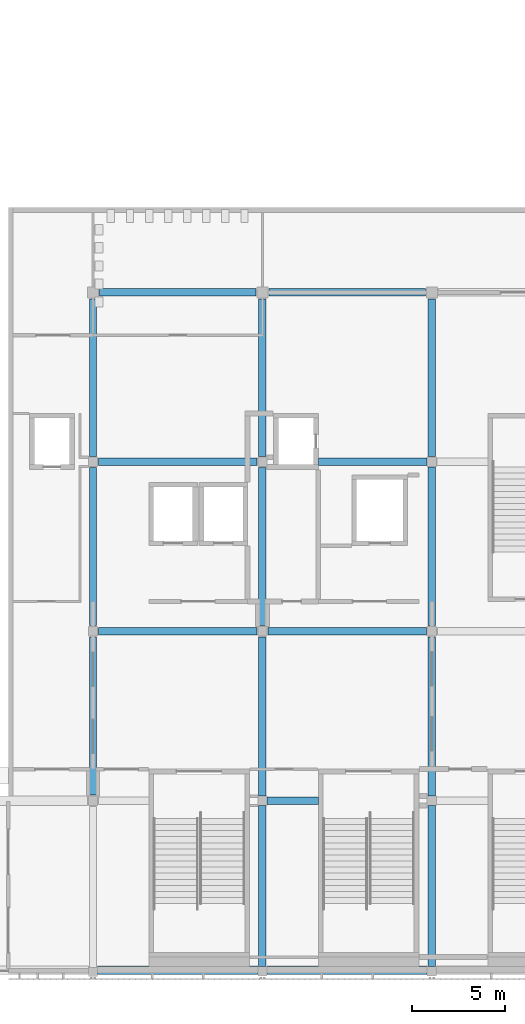
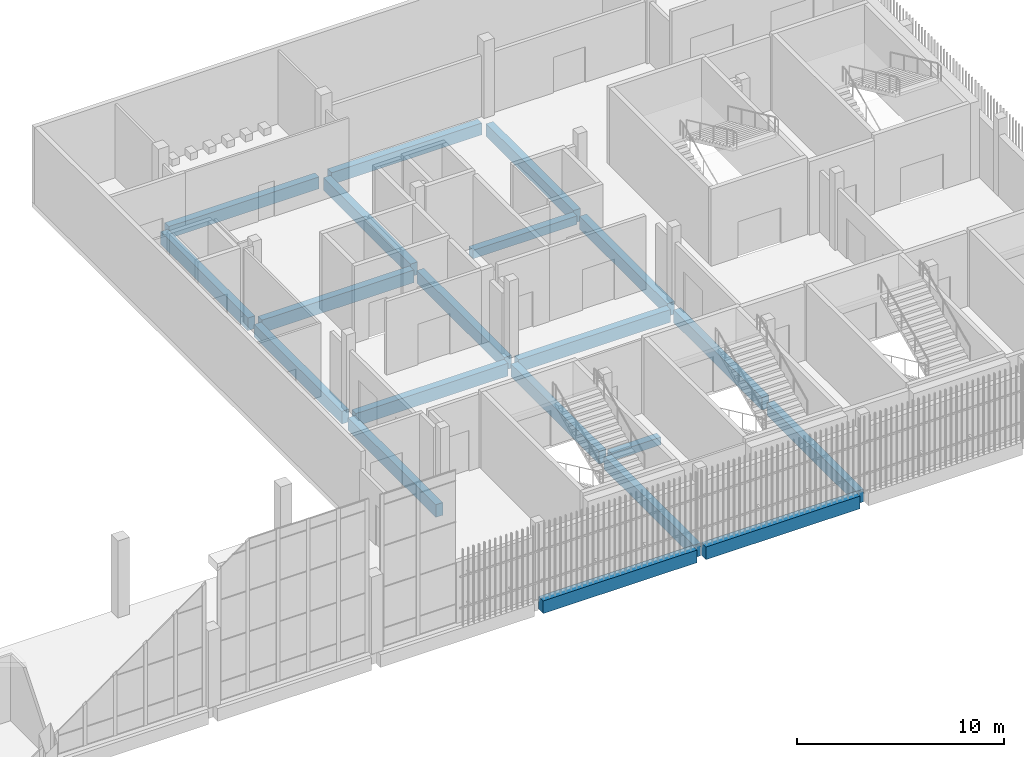
# One storey, part 15 of 91: 20 beams.
"""IFC4 building model written with IfcOpenShell, lengths in metres."""

from ifc_helpers import new_model, si_unit, direction, frame, origin, origin_2d, place, context, subcontext, project, spatial, rectangle, extrude, material, material_profile, profile_set, type_object, element, save


model = new_model("IFC4")

# Units and contexts
model_context = context("Model", 3, precision=1e-05, world=origin(), true_north=direction((0.0, 1.0)))
body_context = subcontext(model_context, "Body", "Model", "MODEL_VIEW")
ifc_project = project(units=[si_unit("LENGTHUNIT", "METRE"), si_unit("AREAUNIT", "SQUARE_METRE"), si_unit("VOLUMEUNIT", "CUBIC_METRE"), si_unit("PLANEANGLEUNIT", "RADIAN"), si_unit("MASSUNIT", "GRAM", prefix="KILO")], contexts=[model_context])

# Site, building, storey
site_placement = place(None, origin())
site = spatial("IfcSite", under=ifc_project, at=site_placement, CompositionType="ELEMENT")
building_placement = place(site_placement, origin())
building = spatial("IfcBuilding", under=site, at=building_placement, Name="Shirokan Park Arena", CompositionType="ELEMENT")
storey_placement = place(building_placement, frame((0.0, 0.0, 24.570068359375)))
storey = spatial("IfcBuildingStorey", under=building, at=storey_placement, Name="L05", CompositionType="ELEMENT", Elevation=24.570068359375)

# Beams
ifc_material = material(Name="Concrete C35", Category="concrete")
ifc_material_profile_1 = material_profile(ifc_material, rectangle(XDim=0.39990234375, YDim=0.5, at=origin_2d()), Name="400x500")
ifc_profile_set_1 = profile_set([ifc_material_profile_1], Name="Concrete C35")
beam_type_1 = type_object("IfcBeamType", Name="RC girder 400x500", PredefinedType="BEAM", material=ifc_profile_set_1)
beam_1_placement = place(storey_placement, frame((121.300048828125, 27.300048828125, -0.550048828125), z_axis=(1.0, 0.0, 0.0), x_axis=(0.0, 1.0, 0.0)))
element("IfcBeam", 1, at=beam_1_placement, inside=storey, type_object=beam_type_1, Name="Girder 14D-15D L05", PredefinedType="BEAM", context=body_context, shape_type="SweptSolid", body=[
    extrude(rectangle(XDim=0.39990234375, YDim=0.5, at=origin_2d()), origin(), (0.0, 0.0, 1.0), 5.824951171875),
])
ifc_material_profile_2 = material_profile(ifc_material, rectangle(XDim=0.39990234375, YDim=0.699951171875, at=origin_2d()), Name="400x700")
ifc_profile_set_2 = profile_set([ifc_material_profile_2], Name="Concrete C35")
beam_type_2 = type_object("IfcBeamType", Name="RC girder 400x700", PredefinedType="BEAM", material=ifc_profile_set_2)
beam_2_placement = place(storey_placement, frame((109.550048828125, 36.39990234375, -0.650146484375), z_axis=(1.0, 0.0, 0.0), x_axis=(0.0, 1.0, 0.0)))
element("IfcBeam", 2, at=beam_2_placement, inside=storey, type_object=beam_type_2, Name="Girder 13E-14E L05", PredefinedType="BEAM", context=body_context, shape_type="SweptSolid", body=[
    extrude(rectangle(XDim=0.39990234375, YDim=0.699951171875, at=origin_2d()), origin(), (0.0, 0.0, 1.0), 8.39990234375),
])
beam_3_placement = place(storey_placement, frame((118.650146484375, 36.39990234375, -0.650146484375), z_axis=(1.0, 0.0, 0.0), x_axis=(0.0, 1.0, 0.0)))
element("IfcBeam", 3, at=beam_3_placement, inside=storey, type_object=beam_type_2, Name="Girder 14E-15E L05", PredefinedType="BEAM", context=body_context, shape_type="SweptSolid", body=[
    extrude(rectangle(XDim=0.39990234375, YDim=0.699951171875, at=origin_2d()), origin(), (0.0, 0.0, 1.0), 8.399658203125),
])
ifc_material_profile_3 = material_profile(ifc_material, rectangle(XDim=0.39990234375, YDim=0.75, at=origin_2d()), Name="400x750")
ifc_profile_set_3 = profile_set([ifc_material_profile_3], Name="Concrete C35")
beam_type_3 = type_object("IfcBeamType", Name="RC girder 400x750", PredefinedType="BEAM", material=ifc_profile_set_3)
for number, where, z_axis, x_axis, name in (
    (4, (109.5, 18.199951171875, -0.675048828125), (1.0, 0.0, 0.0), (0.0, 1.0, 0.0), "Girder 13C-14C L05"),
    (5, (109.5, 27.300048828125, -0.675048828125), (1.0, 0.0, 0.0), (0.0, 1.0, 0.0), "Girder 13D-14D L05"),
):
    element("IfcBeam", number, at=place(storey_placement, frame(where, z_axis=z_axis, x_axis=x_axis)), inside=storey, type_object=beam_type_3, Name=name, PredefinedType="BEAM", context=body_context, shape_type="SweptSolid", body=[
        extrude(rectangle(XDim=0.39990234375, YDim=0.75, at=origin_2d()), origin(), (0.0, 0.0, 1.0), 8.5),
    ])
for number, where, z_axis, x_axis, name in (
    (6, (118.60009765625, 18.199951171875, -0.675048828125), (1.0, 0.0, 0.0), (0.0, 1.0, 0.0), "Girder 14C-15C L05"),
    (7, (109.199951171875, 9.400146484375, -0.675048828125), (0.0, 1.0, 0.0), (-1.0, 0.0, 0.0), "Girder 13B-13C L05"),
):
    element("IfcBeam", number, at=place(storey_placement, frame(where, z_axis=z_axis, x_axis=x_axis)), inside=storey, type_object=beam_type_3, Name=name, PredefinedType="BEAM", context=body_context, shape_type="SweptSolid", body=[
        extrude(rectangle(XDim=0.39990234375, YDim=0.75, at=origin_2d()), origin(), (0.0, 0.0, 1.0), 8.499755859375),
    ])
beam_4_placement = place(storey_placement, frame((109.199951171875, 18.5, -0.675048828125), z_axis=(0.0, 1.0, 0.0), x_axis=(-1.0, 0.0, 0.0)))
element("IfcBeam", 8, at=beam_4_placement, inside=storey, type_object=beam_type_3, Name="Girder 13C-13D L05", PredefinedType="BEAM", context=body_context, shape_type="SweptSolid", body=[
    extrude(rectangle(XDim=0.39990234375, YDim=0.75, at=origin_2d()), origin(), (0.0, 0.0, 1.0), 8.5),
])
beam_5_placement = place(storey_placement, frame((109.199951171875, 27.60009765625, -0.675048828125), z_axis=(0.0, 1.0, 0.0), x_axis=(-1.0, 0.0, 0.0)))
element("IfcBeam", 9, at=beam_5_placement, inside=storey, type_object=beam_type_3, Name="Girder 13D-13E L05", PredefinedType="BEAM", context=body_context, shape_type="SweptSolid", body=[
    extrude(rectangle(XDim=0.39990234375, YDim=0.75, at=origin_2d()), origin(), (0.0, 0.0, 1.0), 8.44970703125),
])
beam_6_placement = place(storey_placement, frame((118.300048828125, 0.2001953125, -0.675048828125), z_axis=(0.0, 1.0, 0.0), x_axis=(-1.0, 0.0, 0.0)))
element("IfcBeam", 10, at=beam_6_placement, inside=storey, type_object=beam_type_3, Name="Girder 14A-14B L05", PredefinedType="BEAM", context=body_context, shape_type="SweptSolid", body=[
    extrude(rectangle(XDim=0.39990234375, YDim=0.75, at=origin_2d()), origin(), (0.0, 0.0, 1.0), 8.649658203125),
])
beam_7_placement = place(storey_placement, frame((118.300048828125, 9.35009765625, -0.675048828125), z_axis=(0.0, 1.0, 0.0), x_axis=(-1.0, 0.0, 0.0)))
element("IfcBeam", 11, at=beam_7_placement, inside=storey, type_object=beam_type_3, Name="Girder 14B-14C L05", PredefinedType="BEAM", context=body_context, shape_type="SweptSolid", body=[
    extrude(rectangle(XDim=0.39990234375, YDim=0.75, at=origin_2d()), origin(), (0.0, 0.0, 1.0), 8.5498046875),
])
beam_8_placement = place(storey_placement, frame((118.300048828125, 18.5, -0.675048828125), z_axis=(0.0, 1.0, 0.0), x_axis=(-1.0, 0.0, 0.0)))
element("IfcBeam", 12, at=beam_8_placement, inside=storey, type_object=beam_type_3, Name="Girder 14C-14D L05", PredefinedType="BEAM", context=body_context, shape_type="SweptSolid", body=[
    extrude(rectangle(XDim=0.39990234375, YDim=0.75, at=origin_2d()), origin(), (0.0, 0.0, 1.0), 8.5),
])
beam_9_placement = place(storey_placement, frame((118.300048828125, 27.60009765625, -0.675048828125), z_axis=(0.0, 1.0, 0.0), x_axis=(-1.0, 0.0, 0.0)))
element("IfcBeam", 13, at=beam_9_placement, inside=storey, type_object=beam_type_3, Name="Girder 14D-14E L05", PredefinedType="BEAM", context=body_context, shape_type="SweptSolid", body=[
    extrude(rectangle(XDim=0.39990234375, YDim=0.75, at=origin_2d()), origin(), (0.0, 0.0, 1.0), 8.44970703125),
])
beam_10_placement = place(storey_placement, frame((127.39990234375, 0.2001953125, -0.675048828125), z_axis=(0.0, 1.0, 0.0), x_axis=(-1.0, 0.0, 0.0)))
element("IfcBeam", 14, at=beam_10_placement, inside=storey, type_object=beam_type_3, Name="Girder 15A-15B L05", PredefinedType="BEAM", context=body_context, shape_type="SweptSolid", body=[
    extrude(rectangle(XDim=0.39990234375, YDim=0.75, at=origin_2d()), origin(), (0.0, 0.0, 1.0), 8.649658203125),
])
beam_11_placement = place(storey_placement, frame((127.39990234375, 9.35009765625, -0.675048828125), z_axis=(0.0, 1.0, 0.0), x_axis=(-1.0, 0.0, 0.0)))
element("IfcBeam", 15, at=beam_11_placement, inside=storey, type_object=beam_type_3, Name="Girder 15B-15C L05", PredefinedType="BEAM", context=body_context, shape_type="SweptSolid", body=[
    extrude(rectangle(XDim=0.39990234375, YDim=0.75, at=origin_2d()), origin(), (0.0, 0.0, 1.0), 8.5498046875),
])
beam_12_placement = place(storey_placement, frame((127.39990234375, 18.5, -0.675048828125), z_axis=(0.0, 1.0, 0.0), x_axis=(-1.0, 0.0, 0.0)))
element("IfcBeam", 16, at=beam_12_placement, inside=storey, type_object=beam_type_3, Name="Girder 15C-15D L05", PredefinedType="BEAM", context=body_context, shape_type="SweptSolid", body=[
    extrude(rectangle(XDim=0.39990234375, YDim=0.75, at=origin_2d()), origin(), (0.0, 0.0, 1.0), 8.52490234375),
])
beam_13_placement = place(storey_placement, frame((127.39990234375, 27.5751953125, -0.675048828125), z_axis=(0.0, 1.0, 0.0), x_axis=(-1.0, 0.0, 0.0)))
element("IfcBeam", 17, at=beam_13_placement, inside=storey, type_object=beam_type_3, Name="Girder 15D-15E L05", PredefinedType="BEAM", context=body_context, shape_type="SweptSolid", body=[
    extrude(rectangle(XDim=0.39990234375, YDim=0.75, at=origin_2d()), origin(), (0.0, 0.0, 1.0), 8.474609375),
])
ifc_material_profile_4 = material_profile(ifc_material, rectangle(XDim=0.449951171875, YDim=0.75, at=origin_2d()), Name="450x750")
ifc_profile_set_4 = profile_set([ifc_material_profile_4], Name="Concrete C35")
beam_type_4 = type_object("IfcBeamType", Name="RC girder 450x750", PredefinedType="BEAM", material=ifc_profile_set_4)
beam_14_placement = place(storey_placement, frame((109.4501953125, 0.0, -0.675048828125), z_axis=(1.0, 0.0, 0.0), x_axis=(0.0, 1.0, 0.0)))
element("IfcBeam", 18, at=beam_14_placement, inside=storey, type_object=beam_type_4, Name="Girder 13A-14A L05", PredefinedType="BEAM", context=body_context, shape_type="SweptSolid", body=[
    extrude(rectangle(XDim=0.449951171875, YDim=0.75, at=origin_2d()), origin(), (0.0, 0.0, 1.0), 8.599609375),
])
beam_15_placement = place(storey_placement, frame((118.550048828125, 0.0, -0.675048828125), z_axis=(1.0, 0.0, 0.0), x_axis=(0.0, 1.0, 0.0)))
element("IfcBeam", 19, at=beam_15_placement, inside=storey, type_object=beam_type_4, Name="Girder 14A-15A L05", PredefinedType="BEAM", context=body_context, shape_type="SweptSolid", body=[
    extrude(rectangle(XDim=0.449951171875, YDim=0.75, at=origin_2d()), origin(), (0.0, 0.0, 1.0), 8.599853515625),
])
ifc_material_profile_5 = material_profile(ifc_material, rectangle(XDim=0.39990234375, YDim=0.449951171875, at=origin_2d()), Name="400x450")
ifc_profile_set_5 = profile_set([ifc_material_profile_5], Name="Concrete C35")
beam_type_5 = type_object("IfcBeamType", Name="RC trimmer 400x450", PredefinedType="BEAM", material=ifc_profile_set_5)
beam_16_placement = place(storey_placement, frame((118.550048828125, 9.10009765625, -0.525146484375), z_axis=(1.0, 0.0, 0.0), x_axis=(0.0, 1.0, 0.0)))
element("IfcBeam", 20, at=beam_16_placement, inside=storey, type_object=beam_type_5, Name="Girder 14B-15B L05", PredefinedType="BEAM", context=body_context, shape_type="SweptSolid", body=[
    extrude(rectangle(XDim=0.39990234375, YDim=0.449951171875, at=origin_2d()), origin(), (0.0, 0.0, 1.0), 2.75),
])

save(model, "model.ifc")
